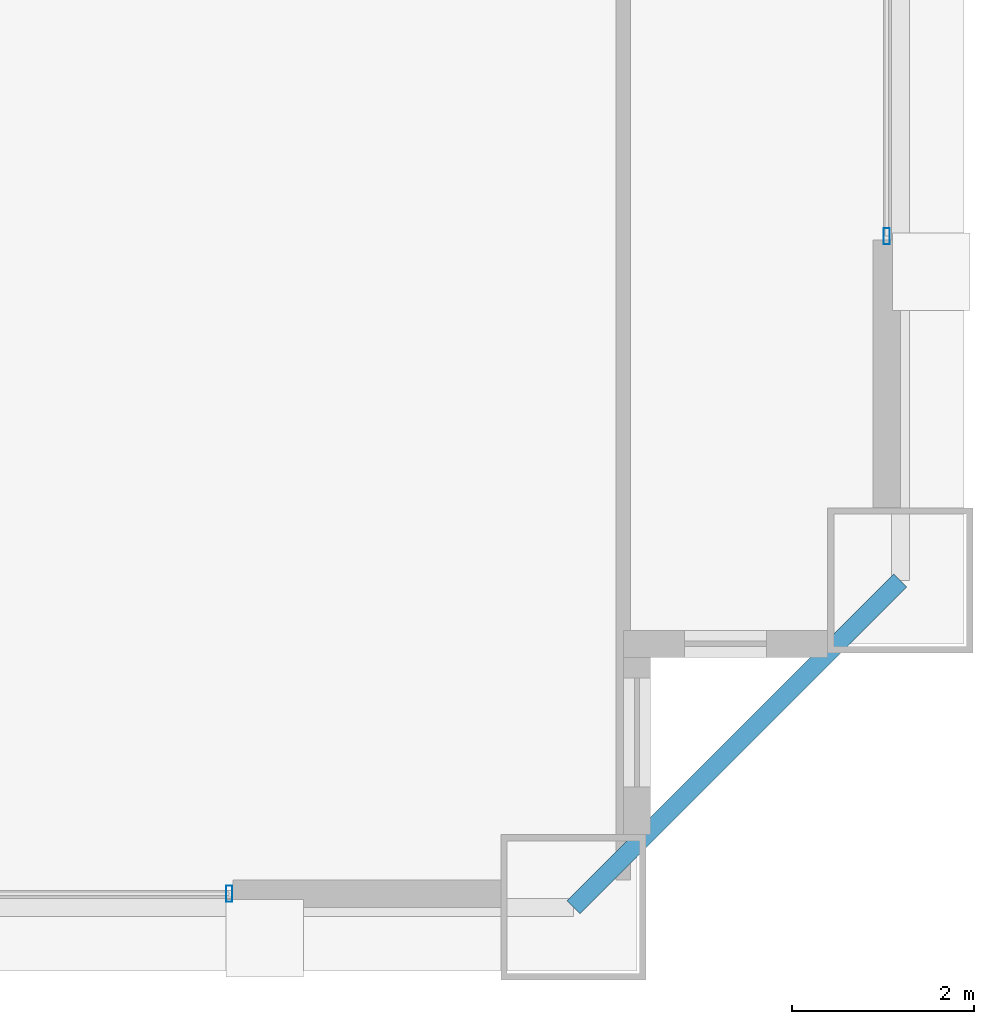
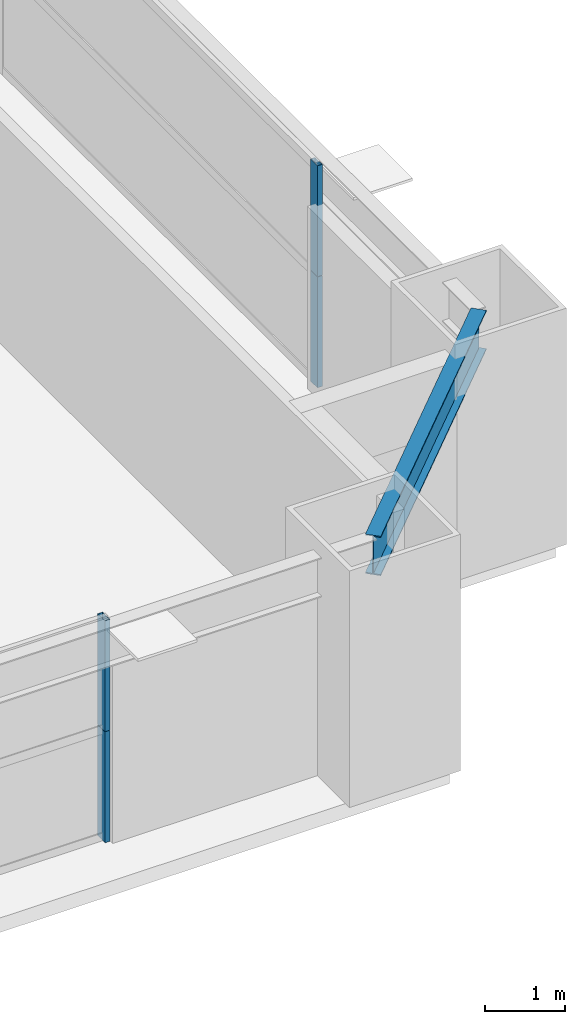
# One storey, part 15 of 37: 4 members, 1 beam, 2 elements without a shape of their own.
"""IFC4 building model written with IfcOpenShell, lengths in metres."""

from ifc_helpers import new_model, si_unit, direction, frame, origin, origin_2d, place, context, subcontext, project, spatial, hollow_rectangle, i_section, extrude, source, transform, mapped, material, layer, layer_set, material_profile, profile_set, type_object, element, aggregate, save


model = new_model("IFC4")

# Units and contexts
model_context = context("Model", 3, precision=1e-05, world=origin(), true_north=direction((0.0, 1.0)))
body_context = subcontext(model_context, "Body", "Model", "MODEL_VIEW")
ifc_project = project(units=[si_unit("LENGTHUNIT", "METRE"), si_unit("AREAUNIT", "SQUARE_METRE"), si_unit("VOLUMEUNIT", "CUBIC_METRE"), si_unit("PLANEANGLEUNIT", "RADIAN"), si_unit("MASSUNIT", "GRAM", prefix="KILO"), si_unit("THERMODYNAMICTEMPERATUREUNIT", "KELVIN"), si_unit("POWERUNIT", "WATT")], contexts=[model_context])

# Site, building, storey
site_placement = place(None, origin())
site = spatial("IfcSite", under=ifc_project, at=site_placement, CompositionType="ELEMENT")
building_placement = place(site_placement, origin())
building = spatial("IfcBuilding", under=site, at=building_placement, Name="Yuzanri Waterfront Tower", CompositionType="ELEMENT")
storey_placement = place(building_placement, frame((0.0, 0.0, 104.60009765625)))
storey = spatial("IfcBuildingStorey", under=building, at=storey_placement, Name="L27", CompositionType="ELEMENT", Elevation=104.60009765625)

# Beam
ifc_material_1 = material(Name="Steel Q355B", Category="steel")
ifc_material_profile_1 = material_profile(ifc_material_1, i_section(OverallWidth=0.199951171875, OverallDepth=0.60009765625, WebThickness=0.010986328125, FlangeThickness=0.01708984375, at=origin_2d()), Name="HN 600x200x11x17")
ifc_profile_set_1 = profile_set([ifc_material_profile_1], Name="Steel Q355B")
beam_type = type_object("IfcBeamType", Name="Perimeter Spandrel Q355B HN 600x200", PredefinedType="SPANDREL", material=ifc_profile_set_1)
shared_shape_1 = source(origin(), body_context, "Body", "SweptSolid", [
    extrude(i_section(OverallWidth=0.199951171875, OverallDepth=0.60009765625, WebThickness=0.010986328125, FlangeThickness=0.01708984375, at=origin_2d()), origin(), (0.0, 0.0, 1.0), 5.09130859375),
])
beam_placement = place(storey_placement, frame((57.0, 2.199951171875, 3.079833984375), z_axis=(0.707106781187, 0.707106781187, 0.0), x_axis=(-0.707106781187, 0.707106781187, 0.0)))
element("IfcBeam", 1, at=beam_placement, inside=storey, type_object=beam_type, Name="L27 Perimeter Spandrel S3-E1", PredefinedType="SPANDREL", context=body_context, shape_type="MappedRepresentation", body=[
    mapped(shared_shape_1, transform((0.0, 0.0, 0.0), scale=1.0)),
])

# Curtain wall, members
ifc_material_2 = material(Name="Anodized Architectural Bronze", Category="metal")
ifc_layer = layer(ifc_material_2, 0.159912109375)
ifc_layer_set = layer_set([ifc_layer], Name="Anodized Architectural Bronze")
curtain_wall_type = type_object("IfcCurtainWallType", Name="Anodized Bronze Hotel Upper-Tier Solar-Control Unitized Curtain Wall 7800", PredefinedType="NOTDEFINED", material=ifc_layer_set)
curtain_wall_1_placement = place(storey_placement, origin())
curtain_wall_1 = element("IfcCurtainWall", 2, at=curtain_wall_1_placement, inside=storey, type_object=curtain_wall_type, Name="L27 Curtain Wall CW-L27-SR", PredefinedType="NOTDEFINED")
ifc_material_3 = material(Name="Anodized Architectural Bronze", Category="metal")
ifc_material_profile_2 = material_profile(ifc_material_3, hollow_rectangle(XDim=0.070068359375, YDim=0.179931640625, WallThickness=0.00390625, at=origin_2d()), Name="CWM 70x180")
ifc_profile_set_2 = profile_set([ifc_material_profile_2], Name="Anodized Architectural Bronze")
member_type = type_object("IfcMemberType", Name="Anodized Bronze Standard Curtain-Wall Mullion 70x180", PredefinedType="MULLION", material=ifc_profile_set_2)
shared_shape_2 = source(origin(), body_context, "Body", "SweptSolid", [
    extrude(hollow_rectangle(XDim=0.070068359375, YDim=0.179931640625, WallThickness=0.00390625, at=origin_2d()), origin(), (0.0, 0.0, 1.0), 1.68798828125),
])
member_1_placement = place(storey_placement, frame((53.2099609375, 2.35009765625, 0.0), z_axis=(0.0, 0.0, 1.0), x_axis=(1.0, 0.0, 0.0)))
member_1 = element("IfcMember", 3, at=member_1_placement, type_object=member_type, Name="CW-L27-SR Lower Mullion 02", PredefinedType="MULLION", context=body_context, shape_type="MappedRepresentation", body=[
    mapped(shared_shape_2, transform((0.0, 0.0, 0.0), scale=1.0)),
])
member_2_placement = place(storey_placement, frame((53.2099609375, 2.35009765625, 1.69189453125), z_axis=(0.0, 0.0, 1.0), x_axis=(1.0, 0.0, 0.0)))
member_2 = element("IfcMember", 4, at=member_2_placement, type_object=member_type, Name="CW-L27-SR Upper Mullion 02", PredefinedType="MULLION", context=body_context, shape_type="MappedRepresentation", body=[
    mapped(shared_shape_2, transform((0.0, 0.0, 0.0), scale=1.0)),
])
aggregate(curtain_wall_1, [member_1, member_2])

curtain_wall_2_placement = place(storey_placement, origin())
curtain_wall_2 = element("IfcCurtainWall", 5, at=curtain_wall_2_placement, inside=storey, type_object=curtain_wall_type, Name="L27 Curtain Wall CW-L27-EL", PredefinedType="NOTDEFINED")
member_3_placement = place(storey_placement, frame((60.449951171875, 9.590087890625, 0.0), z_axis=(0.0, 0.0, 1.0), x_axis=(1.0, 0.0, 0.0)))
member_3 = element("IfcMember", 6, at=member_3_placement, type_object=member_type, Name="CW-L27-EL Lower Mullion 00", PredefinedType="MULLION", context=body_context, shape_type="MappedRepresentation", body=[
    mapped(shared_shape_2, transform((0.0, 0.0, 0.0), scale=1.0)),
])
member_4_placement = place(storey_placement, frame((60.449951171875, 9.590087890625, 1.69189453125), z_axis=(0.0, 0.0, 1.0), x_axis=(1.0, 0.0, 0.0)))
member_4 = element("IfcMember", 7, at=member_4_placement, type_object=member_type, Name="CW-L27-EL Upper Mullion 00", PredefinedType="MULLION", context=body_context, shape_type="MappedRepresentation", body=[
    mapped(shared_shape_2, transform((0.0, 0.0, 0.0), scale=1.0)),
])
aggregate(curtain_wall_2, [member_3, member_4])

save(model, "model.ifc")
